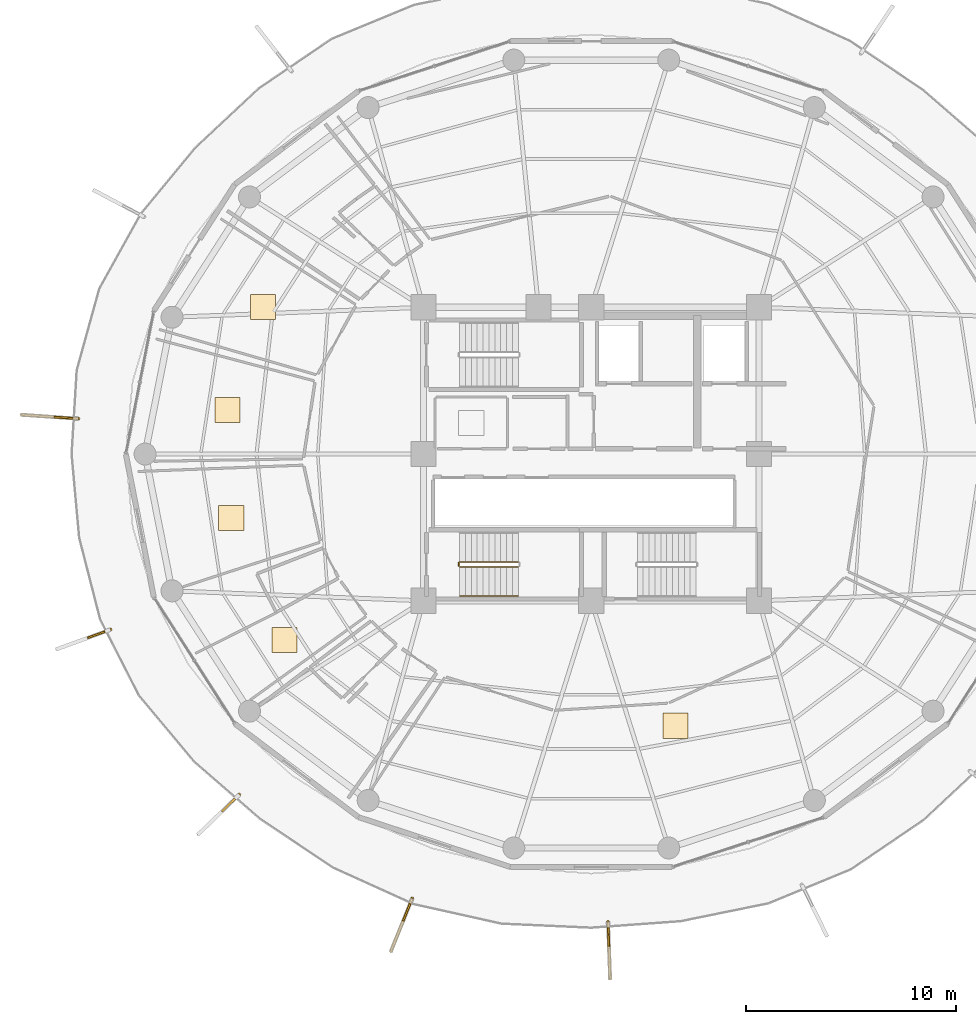
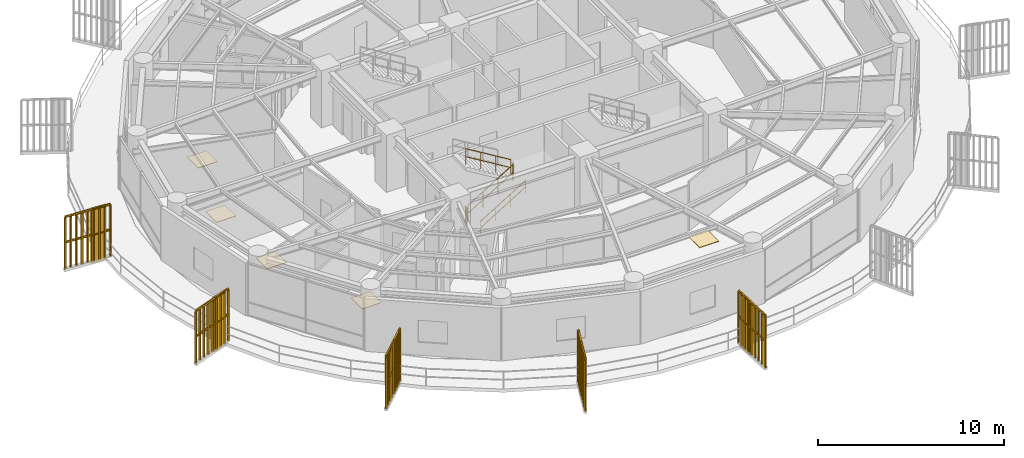
# One storey, part 27 of 30: 9 railings, 5 coverings, 5 shading devices.
"""IFC4 building model written with IfcOpenShell, lengths in metres."""

from ifc_helpers import new_model, si_unit, direction, frame, origin, origin_2d, place, context, subcontext, project, spatial, polyline, rectangle, outline, extrude, source, transform, mapped, material, layer, layer_set, type_object, element, save


model = new_model("IFC4")

# Units and contexts
model_context = context("Model", 3, precision=1e-05, world=origin(), true_north=direction((0.0, 1.0)))
body_context = subcontext(model_context, "Body", "Model", "MODEL_VIEW")
ifc_project = project(units=[si_unit("LENGTHUNIT", "METRE"), si_unit("AREAUNIT", "SQUARE_METRE"), si_unit("VOLUMEUNIT", "CUBIC_METRE"), si_unit("PLANEANGLEUNIT", "RADIAN"), si_unit("MASSUNIT", "GRAM", prefix="KILO")], contexts=[model_context])

# Site, building, storey
site_placement = place(None, origin())
site = spatial("IfcSite", under=ifc_project, at=site_placement, CompositionType="ELEMENT")
building_placement = place(site_placement, origin())
building = spatial("IfcBuilding", under=site, at=building_placement, Name="Kelanora Arch Commons", CompositionType="ELEMENT")
storey_placement = place(building_placement, frame((0.0, 0.0, 211.949951171875)))
storey = spatial("IfcBuildingStorey", under=building, at=storey_placement, Name="L54", CompositionType="ELEMENT", Elevation=211.949951171875)

# Railings
ifc_material_1 = material(Name="Anodised bronze vertical shading fin rib assembly")
railing_type_1 = type_object("IfcRailingType", Name="RAIL-FIN-BRZ", PredefinedType="BALUSTRADE", material=ifc_material_1)
railing_1_placement = place(storey_placement, frame((49.53662109375, 59.6865234375, -0.02001953125)))
element("IfcRailing", 1, at=railing_1_placement, inside=storey, type_object=railing_type_1, Name="Sweeping Bronze Vertical Fin Blade L54-09", PredefinedType="BALUSTRADE", context=body_context, shape_type="SweptSolid", body=[
    extrude(outline(polyline([(0.06982421875, 0.0), (0.034912109375, 0.060546875), (-0.034912109375, 0.060546875), (-0.06982421875, 0.0), (-0.034912109375, -0.060546875), (0.034912109375, -0.060546875), (0.06982421875, 0.0)])), frame((0.0, 0.0, 3.419921875), z_axis=(-0.997628195504, 0.068833011954, 0.0), x_axis=(-0.068833011954, -0.997628195504, 0.0)), (0.0, 0.0, 1.0), 2.709716796875),
    extrude(outline(polyline([(0.06982421875, 0.0), (0.034912109375, 0.060546875), (-0.034912109375, 0.060546875), (-0.06982421875, 0.0), (-0.034912109375, -0.060546875), (0.034912109375, -0.060546875), (0.06982421875, 0.0)])), frame((0.0, 0.0, 1.7451171875), z_axis=(-0.997628195504, 0.068833011954, 0.0), x_axis=(-0.068833011954, -0.997628195504, 0.0)), (0.0, 0.0, 1.0), 2.709716796875),
    extrude(outline(polyline([(0.080078125, 0.0), (0.0400390625, 0.0693359375), (-0.0400390625, 0.0693359375), (-0.080078125, 0.0), (-0.0400390625, -0.0693359375), (0.0400390625, -0.0693359375), (0.080078125, 0.0)])), origin(), (0.0, 0.0, 1.0), 3.35009765625),
    extrude(outline(polyline([(0.080078125, 0.0), (0.0400390625, 0.0693359375), (-0.0400390625, 0.0693359375), (-0.080078125, 0.0), (-0.0400390625, -0.0693359375), (0.0400390625, -0.0693359375), (0.080078125, 0.0)])), frame((-0.337890625, 0.0234375, 0.0)), (0.0, 0.0, 1.0), 3.35009765625),
    extrude(outline(polyline([(0.080078125, 0.0), (0.0400390625, 0.0693359375), (-0.0400390625, 0.0693359375), (-0.080078125, 0.0), (-0.0400390625, -0.0693359375), (0.0400390625, -0.0693359375), (0.080078125, 0.0)])), frame((-0.67578125, 0.046630859375, 0.0)), (0.0, 0.0, 1.0), 3.35009765625),
    extrude(outline(polyline([(0.080078125, 0.0), (0.0400390625, 0.0693359375), (-0.0400390625, 0.0693359375), (-0.080078125, 0.0), (-0.0400390625, -0.0693359375), (0.0400390625, -0.0693359375), (0.080078125, 0.0)])), frame((-1.013671875, 0.06982421875, 0.0)), (0.0, 0.0, 1.0), 3.35009765625),
    extrude(outline(polyline([(0.080078125, 0.0), (0.0400390625, 0.0693359375), (-0.0400390625, 0.0693359375), (-0.080078125, 0.0), (-0.0400390625, -0.0693359375), (0.0400390625, -0.0693359375), (0.080078125, 0.0)])), frame((-1.3515625, 0.09326171875, 0.0)), (0.0, 0.0, 1.0), 3.35009765625),
    extrude(outline(polyline([(0.080078125, 0.0), (0.0400390625, 0.0693359375), (-0.0400390625, 0.0693359375), (-0.080078125, 0.0), (-0.0400390625, -0.0693359375), (0.0400390625, -0.0693359375), (0.080078125, 0.0)])), frame((-1.689697265625, 0.11669921875, 0.0)), (0.0, 0.0, 1.0), 3.35009765625),
    extrude(outline(polyline([(0.080078125, 0.0), (0.0400390625, 0.0693359375), (-0.0400390625, 0.0693359375), (-0.080078125, 0.0), (-0.0400390625, -0.0693359375), (0.0400390625, -0.0693359375), (0.080078125, 0.0)])), frame((-2.027587890625, 0.139892578125, 0.0)), (0.0, 0.0, 1.0), 3.35009765625),
    extrude(outline(polyline([(0.080078125, 0.0), (0.0400390625, 0.0693359375), (-0.0400390625, 0.0693359375), (-0.080078125, 0.0), (-0.0400390625, -0.0693359375), (0.0400390625, -0.0693359375), (0.080078125, 0.0)])), frame((-2.365478515625, 0.1630859375, 0.0)), (0.0, 0.0, 1.0), 3.35009765625),
    extrude(outline(polyline([(0.080078125, 0.0), (0.0400390625, 0.0693359375), (-0.0400390625, 0.0693359375), (-0.080078125, 0.0), (-0.0400390625, -0.0693359375), (0.0400390625, -0.0693359375), (0.080078125, 0.0)])), frame((-2.703369140625, 0.1865234375, 0.0)), (0.0, 0.0, 1.0), 3.35009765625),
])
railing_2_placement = place(storey_placement, frame((51.0693359375, 49.62841796875, -0.02001953125)))
element("IfcRailing", 2, at=railing_2_placement, inside=storey, type_object=railing_type_1, Name="Sweeping Bronze Vertical Fin Blade L54-10", PredefinedType="BALUSTRADE", context=body_context, shape_type="SweptSolid", body=[
    extrude(outline(polyline([(0.06982421875, 0.0), (0.034912109375, 0.060546875), (-0.034912109375, 0.060546875), (-0.06982421875, 0.0), (-0.034912109375, -0.060546875), (0.034912109375, -0.060546875), (0.06982421875, 0.0)])), frame((0.0, 0.0, 3.419921875), z_axis=(-0.93937712702, -0.342885714533, 0.0), x_axis=(0.342885714533, -0.93937712702, 0.0)), (0.0, 0.0, 1.0), 2.7099609375),
    extrude(outline(polyline([(0.06982421875, 0.0), (0.034912109375, 0.060546875), (-0.034912109375, 0.060546875), (-0.06982421875, 0.0), (-0.034912109375, -0.060546875), (0.034912109375, -0.060546875), (0.06982421875, 0.0)])), frame((0.0, 0.0, 1.7451171875), z_axis=(-0.93937712702, -0.342885714533, 0.0), x_axis=(0.342885714533, -0.93937712702, 0.0)), (0.0, 0.0, 1.0), 2.7099609375),
    extrude(outline(polyline([(0.080078125, 0.0), (0.0400390625, 0.0693359375), (-0.0400390625, 0.0693359375), (-0.080078125, 0.0), (-0.0400390625, -0.0693359375), (0.0400390625, -0.0693359375), (0.080078125, 0.0)])), origin(), (0.0, 0.0, 1.0), 3.35009765625),
    extrude(outline(polyline([(0.080078125, 0.0), (0.0400390625, 0.0693359375), (-0.0400390625, 0.0693359375), (-0.080078125, 0.0), (-0.0400390625, -0.0693359375), (0.0400390625, -0.0693359375), (0.080078125, 0.0)])), frame((-0.318115234375, -0.1162109375, 0.0)), (0.0, 0.0, 1.0), 3.35009765625),
    extrude(outline(polyline([(0.080078125, 0.0), (0.0400390625, 0.0693359375), (-0.0400390625, 0.0693359375), (-0.080078125, 0.0), (-0.0400390625, -0.0693359375), (0.0400390625, -0.0693359375), (0.080078125, 0.0)])), frame((-0.636474609375, -0.232421875, 0.0)), (0.0, 0.0, 1.0), 3.35009765625),
    extrude(outline(polyline([(0.080078125, 0.0), (0.0400390625, 0.0693359375), (-0.0400390625, 0.0693359375), (-0.080078125, 0.0), (-0.0400390625, -0.0693359375), (0.0400390625, -0.0693359375), (0.080078125, 0.0)])), frame((-0.95458984375, -0.348388671875, 0.0)), (0.0, 0.0, 1.0), 3.35009765625),
    extrude(outline(polyline([(0.080078125, 0.0), (0.0400390625, 0.0693359375), (-0.0400390625, 0.0693359375), (-0.080078125, 0.0), (-0.0400390625, -0.0693359375), (0.0400390625, -0.0693359375), (0.080078125, 0.0)])), frame((-1.27294921875, -0.464599609375, 0.0)), (0.0, 0.0, 1.0), 3.35009765625),
    extrude(outline(polyline([(0.080078125, 0.0), (0.0400390625, 0.0693359375), (-0.0400390625, 0.0693359375), (-0.080078125, 0.0), (-0.0400390625, -0.0693359375), (0.0400390625, -0.0693359375), (0.080078125, 0.0)])), frame((-1.591064453125, -0.580810546875, 0.0)), (0.0, 0.0, 1.0), 3.35009765625),
    extrude(outline(polyline([(0.080078125, 0.0), (0.0400390625, 0.0693359375), (-0.0400390625, 0.0693359375), (-0.080078125, 0.0), (-0.0400390625, -0.0693359375), (0.0400390625, -0.0693359375), (0.080078125, 0.0)])), frame((-1.9091796875, -0.69677734375, 0.0)), (0.0, 0.0, 1.0), 3.35009765625),
    extrude(outline(polyline([(0.080078125, 0.0), (0.0400390625, 0.0693359375), (-0.0400390625, 0.0693359375), (-0.080078125, 0.0), (-0.0400390625, -0.0693359375), (0.0400390625, -0.0693359375), (0.080078125, 0.0)])), frame((-2.2275390625, -0.81298828125, 0.0)), (0.0, 0.0, 1.0), 3.35009765625),
    extrude(outline(polyline([(0.080078125, 0.0), (0.0400390625, 0.0693359375), (-0.0400390625, 0.0693359375), (-0.080078125, 0.0), (-0.0400390625, -0.0693359375), (0.0400390625, -0.0693359375), (0.080078125, 0.0)])), frame((-2.545654296875, -0.92919921875, 0.0)), (0.0, 0.0, 1.0), 3.35009765625),
])
railing_3_placement = place(storey_placement, frame((57.212158203125, 41.756591796875, -0.02001953125)))
element("IfcRailing", 3, at=railing_3_placement, inside=storey, type_object=railing_type_1, Name="Sweeping Bronze Vertical Fin Blade L54-11", PredefinedType="BALUSTRADE", context=body_context, shape_type="SweptSolid", body=[
    extrude(outline(polyline([(0.06982421875, 0.0), (0.034912109375, 0.060546875), (-0.034912109375, 0.060546875), (-0.06982421875, 0.0), (-0.034912109375, -0.060546875), (0.034912109375, -0.060546875), (0.06982421875, 0.0)])), frame((0.0, 0.0, 3.419921875), z_axis=(-0.718632638385, -0.695389912961, 0.0), x_axis=(0.695389912961, -0.718632638385, 0.0)), (0.0, 0.0, 1.0), 2.7099609375),
    extrude(outline(polyline([(0.06982421875, 0.0), (0.034912109375, 0.060546875), (-0.034912109375, 0.060546875), (-0.06982421875, 0.0), (-0.034912109375, -0.060546875), (0.034912109375, -0.060546875), (0.06982421875, 0.0)])), frame((0.0, 0.0, 1.7451171875), z_axis=(-0.718632638385, -0.695389912961, 0.0), x_axis=(0.695389912961, -0.718632638385, 0.0)), (0.0, 0.0, 1.0), 2.7099609375),
    extrude(outline(polyline([(0.080078125, 0.0), (0.0400390625, 0.0693359375), (-0.0400390625, 0.0693359375), (-0.080078125, 0.0), (-0.0400390625, -0.0693359375), (0.0400390625, -0.0693359375), (0.080078125, 0.0)])), origin(), (0.0, 0.0, 1.0), 3.35009765625),
    extrude(outline(polyline([(0.080078125, 0.0), (0.0400390625, 0.0693359375), (-0.0400390625, 0.0693359375), (-0.080078125, 0.0), (-0.0400390625, -0.0693359375), (0.0400390625, -0.0693359375), (0.080078125, 0.0)])), frame((-0.243408203125, -0.235595703125, 0.0)), (0.0, 0.0, 1.0), 3.35009765625),
    extrude(outline(polyline([(0.080078125, 0.0), (0.0400390625, 0.0693359375), (-0.0400390625, 0.0693359375), (-0.080078125, 0.0), (-0.0400390625, -0.0693359375), (0.0400390625, -0.0693359375), (0.080078125, 0.0)])), frame((-0.48681640625, -0.47119140625, 0.0)), (0.0, 0.0, 1.0), 3.35009765625),
    extrude(outline(polyline([(0.080078125, 0.0), (0.0400390625, 0.0693359375), (-0.0400390625, 0.0693359375), (-0.080078125, 0.0), (-0.0400390625, -0.0693359375), (0.0400390625, -0.0693359375), (0.080078125, 0.0)])), frame((-0.730224609375, -0.706787109375, 0.0)), (0.0, 0.0, 1.0), 3.35009765625),
    extrude(outline(polyline([(0.080078125, 0.0), (0.0400390625, 0.0693359375), (-0.0400390625, 0.0693359375), (-0.080078125, 0.0), (-0.0400390625, -0.0693359375), (0.0400390625, -0.0693359375), (0.080078125, 0.0)])), frame((-0.9736328125, -0.9423828125, 0.0)), (0.0, 0.0, 1.0), 3.35009765625),
    extrude(outline(polyline([(0.080078125, 0.0), (0.0400390625, 0.0693359375), (-0.0400390625, 0.0693359375), (-0.080078125, 0.0), (-0.0400390625, -0.0693359375), (0.0400390625, -0.0693359375), (0.080078125, 0.0)])), frame((-1.21728515625, -1.177734375, 0.0)), (0.0, 0.0, 1.0), 3.35009765625),
    extrude(outline(polyline([(0.080078125, 0.0), (0.0400390625, 0.0693359375), (-0.0400390625, 0.0693359375), (-0.080078125, 0.0), (-0.0400390625, -0.0693359375), (0.0400390625, -0.0693359375), (0.080078125, 0.0)])), frame((-1.460693359375, -1.413330078125, 0.0)), (0.0, 0.0, 1.0), 3.35009765625),
    extrude(outline(polyline([(0.080078125, 0.0), (0.0400390625, 0.0693359375), (-0.0400390625, 0.0693359375), (-0.080078125, 0.0), (-0.0400390625, -0.0693359375), (0.0400390625, -0.0693359375), (0.080078125, 0.0)])), frame((-1.7041015625, -1.64892578125, 0.0)), (0.0, 0.0, 1.0), 3.35009765625),
    extrude(outline(polyline([(0.080078125, 0.0), (0.0400390625, 0.0693359375), (-0.0400390625, 0.0693359375), (-0.080078125, 0.0), (-0.0400390625, -0.0693359375), (0.0400390625, -0.0693359375), (0.080078125, 0.0)])), frame((-1.947509765625, -1.884521484375, 0.0)), (0.0, 0.0, 1.0), 3.35009765625),
])
railing_4_placement = place(storey_placement, frame((65.462890625, 36.810302734375, -0.02001953125)))
element("IfcRailing", 4, at=railing_4_placement, inside=storey, type_object=railing_type_1, Name="Sweeping Bronze Vertical Fin Blade L54-12", PredefinedType="BALUSTRADE", context=body_context, shape_type="SweptSolid", body=[
    extrude(outline(polyline([(0.06982421875, 0.0), (0.034912109375, 0.060546875), (-0.034912109375, 0.060546875), (-0.06982421875, 0.0), (-0.034912109375, -0.060546875), (0.034912109375, -0.060546875), (0.06982421875, 0.0)])), frame((0.0, 0.0, 3.419921875), z_axis=(-0.37368835576, -0.927554317962, 0.0), x_axis=(0.927554317962, -0.37368835576, 0.0)), (0.0, 0.0, 1.0), 2.7099609375),
    extrude(outline(polyline([(0.06982421875, 0.0), (0.034912109375, 0.060546875), (-0.034912109375, 0.060546875), (-0.06982421875, 0.0), (-0.034912109375, -0.060546875), (0.034912109375, -0.060546875), (0.06982421875, 0.0)])), frame((0.0, 0.0, 1.7451171875), z_axis=(-0.37368835576, -0.927554317962, 0.0), x_axis=(0.927554317962, -0.37368835576, 0.0)), (0.0, 0.0, 1.0), 2.7099609375),
    extrude(outline(polyline([(0.080078125, 0.0), (0.0400390625, 0.0693359375), (-0.0400390625, 0.0693359375), (-0.080078125, 0.0), (-0.0400390625, -0.0693359375), (0.0400390625, -0.0693359375), (0.080078125, 0.0)])), origin(), (0.0, 0.0, 1.0), 3.35009765625),
    extrude(outline(polyline([(0.080078125, 0.0), (0.0400390625, 0.0693359375), (-0.0400390625, 0.0693359375), (-0.080078125, 0.0), (-0.0400390625, -0.0693359375), (0.0400390625, -0.0693359375), (0.080078125, 0.0)])), frame((-0.12646484375, -0.314208984375, 0.0)), (0.0, 0.0, 1.0), 3.35009765625),
    extrude(outline(polyline([(0.080078125, 0.0), (0.0400390625, 0.0693359375), (-0.0400390625, 0.0693359375), (-0.080078125, 0.0), (-0.0400390625, -0.0693359375), (0.0400390625, -0.0693359375), (0.080078125, 0.0)])), frame((-0.253173828125, -0.62841796875, 0.0)), (0.0, 0.0, 1.0), 3.35009765625),
    extrude(outline(polyline([(0.080078125, 0.0), (0.0400390625, 0.0693359375), (-0.0400390625, 0.0693359375), (-0.080078125, 0.0), (-0.0400390625, -0.0693359375), (0.0400390625, -0.0693359375), (0.080078125, 0.0)])), frame((-0.3798828125, -0.942626953125, 0.0)), (0.0, 0.0, 1.0), 3.35009765625),
    extrude(outline(polyline([(0.080078125, 0.0), (0.0400390625, 0.0693359375), (-0.0400390625, 0.0693359375), (-0.080078125, 0.0), (-0.0400390625, -0.0693359375), (0.0400390625, -0.0693359375), (0.080078125, 0.0)])), frame((-0.50634765625, -1.2568359375, 0.0)), (0.0, 0.0, 1.0), 3.35009765625),
    extrude(outline(polyline([(0.080078125, 0.0), (0.0400390625, 0.0693359375), (-0.0400390625, 0.0693359375), (-0.080078125, 0.0), (-0.0400390625, -0.0693359375), (0.0400390625, -0.0693359375), (0.080078125, 0.0)])), frame((-0.6328125, -1.571044921875, 0.0)), (0.0, 0.0, 1.0), 3.35009765625),
    extrude(outline(polyline([(0.080078125, 0.0), (0.0400390625, 0.0693359375), (-0.0400390625, 0.0693359375), (-0.080078125, 0.0), (-0.0400390625, -0.0693359375), (0.0400390625, -0.0693359375), (0.080078125, 0.0)])), frame((-0.759521484375, -1.88525390625, 0.0)), (0.0, 0.0, 1.0), 3.35009765625),
    extrude(outline(polyline([(0.080078125, 0.0), (0.0400390625, 0.0693359375), (-0.0400390625, 0.0693359375), (-0.080078125, 0.0), (-0.0400390625, -0.0693359375), (0.0400390625, -0.0693359375), (0.080078125, 0.0)])), frame((-0.88623046875, -2.199462890625, 0.0)), (0.0, 0.0, 1.0), 3.35009765625),
    extrude(outline(polyline([(0.080078125, 0.0), (0.0400390625, 0.0693359375), (-0.0400390625, 0.0693359375), (-0.080078125, 0.0), (-0.0400390625, -0.0693359375), (0.0400390625, -0.0693359375), (0.080078125, 0.0)])), frame((-1.0126953125, -2.513671875, 0.0)), (0.0, 0.0, 1.0), 3.35009765625),
])
railing_5_placement = place(storey_placement, frame((74.80078125, 35.692138671875, -0.02001953125)))
element("IfcRailing", 5, at=railing_5_placement, inside=storey, type_object=railing_type_1, Name="Sweeping Bronze Vertical Fin Blade L54-13", PredefinedType="BALUSTRADE", context=body_context, shape_type="SweptSolid", body=[
    extrude(outline(polyline([(0.06982421875, 0.0), (0.034912109375, 0.060546875), (-0.034912109375, 0.060546875), (-0.06982421875, 0.0), (-0.034912109375, -0.060546875), (0.034912109375, -0.060546875), (0.06982421875, 0.0)])), frame((0.0, 0.0, 3.419921875), z_axis=(0.035945384349, -0.999353755856, 0.0), x_axis=(0.999353755856, 0.035945384349, 0.0)), (0.0, 0.0, 1.0), 2.7099609375),
    extrude(outline(polyline([(0.06982421875, 0.0), (0.034912109375, 0.060546875), (-0.034912109375, 0.060546875), (-0.06982421875, 0.0), (-0.034912109375, -0.060546875), (0.034912109375, -0.060546875), (0.06982421875, 0.0)])), frame((0.0, 0.0, 1.7451171875), z_axis=(0.035945384349, -0.999353755856, 0.0), x_axis=(0.999353755856, 0.035945384349, 0.0)), (0.0, 0.0, 1.0), 2.7099609375),
    extrude(outline(polyline([(0.080078125, 0.0), (0.0400390625, 0.0693359375), (-0.0400390625, 0.0693359375), (-0.080078125, 0.0), (-0.0400390625, -0.0693359375), (0.0400390625, -0.0693359375), (0.080078125, 0.0)])), origin(), (0.0, 0.0, 1.0), 3.35009765625),
    extrude(outline(polyline([(0.080078125, 0.0), (0.0400390625, 0.0693359375), (-0.0400390625, 0.0693359375), (-0.080078125, 0.0), (-0.0400390625, -0.0693359375), (0.0400390625, -0.0693359375), (0.080078125, 0.0)])), frame((0.01220703125, -0.338623046875, 0.0)), (0.0, 0.0, 1.0), 3.35009765625),
    extrude(outline(polyline([(0.080078125, 0.0), (0.0400390625, 0.0693359375), (-0.0400390625, 0.0693359375), (-0.080078125, 0.0), (-0.0400390625, -0.0693359375), (0.0400390625, -0.0693359375), (0.080078125, 0.0)])), frame((0.0244140625, -0.677001953125, 0.0)), (0.0, 0.0, 1.0), 3.35009765625),
    extrude(outline(polyline([(0.080078125, 0.0), (0.0400390625, 0.0693359375), (-0.0400390625, 0.0693359375), (-0.080078125, 0.0), (-0.0400390625, -0.0693359375), (0.0400390625, -0.0693359375), (0.080078125, 0.0)])), frame((0.03662109375, -1.015625, 0.0)), (0.0, 0.0, 1.0), 3.35009765625),
    extrude(outline(polyline([(0.080078125, 0.0), (0.0400390625, 0.0693359375), (-0.0400390625, 0.0693359375), (-0.080078125, 0.0), (-0.0400390625, -0.0693359375), (0.0400390625, -0.0693359375), (0.080078125, 0.0)])), frame((0.048828125, -1.35400390625, 0.0)), (0.0, 0.0, 1.0), 3.35009765625),
    extrude(outline(polyline([(0.080078125, 0.0), (0.0400390625, 0.0693359375), (-0.0400390625, 0.0693359375), (-0.080078125, 0.0), (-0.0400390625, -0.0693359375), (0.0400390625, -0.0693359375), (0.080078125, 0.0)])), frame((0.060791015625, -1.692626953125, 0.0)), (0.0, 0.0, 1.0), 3.35009765625),
    extrude(outline(polyline([(0.080078125, 0.0), (0.0400390625, 0.0693359375), (-0.0400390625, 0.0693359375), (-0.080078125, 0.0), (-0.0400390625, -0.0693359375), (0.0400390625, -0.0693359375), (0.080078125, 0.0)])), frame((0.072998046875, -2.03125, 0.0)), (0.0, 0.0, 1.0), 3.35009765625),
    extrude(outline(polyline([(0.080078125, 0.0), (0.0400390625, 0.0693359375), (-0.0400390625, 0.0693359375), (-0.080078125, 0.0), (-0.0400390625, -0.0693359375), (0.0400390625, -0.0693359375), (0.080078125, 0.0)])), frame((0.085205078125, -2.36962890625, 0.0)), (0.0, 0.0, 1.0), 3.35009765625),
    extrude(outline(polyline([(0.080078125, 0.0), (0.0400390625, 0.0693359375), (-0.0400390625, 0.0693359375), (-0.080078125, 0.0), (-0.0400390625, -0.0693359375), (0.0400390625, -0.0693359375), (0.080078125, 0.0)])), frame((0.097412109375, -2.708251953125, 0.0)), (0.0, 0.0, 1.0), 3.35009765625),
])
ifc_material_2 = material(Name="Painted steel stair well guard", Category="steel")
railing_type_2 = type_object("IfcRailingType", Name="RAIL-STAIR-GRD", PredefinedType="GUARDRAIL", material=ifc_material_2)
railing_6_placement = place(storey_placement, frame((67.719970703125, 52.610107421875, 0.17041015625)))
element("IfcRailing", 6, at=railing_6_placement, inside=storey, type_object=railing_type_2, Name="L54 ST-T3 stair guard 1", PredefinedType="GUARDRAIL", context=body_context, shape_type="SweptSolid", body=[
    extrude(outline(polyline([(0.02392578125, 0.0), (0.011962890625, 0.020751953125), (-0.011962890625, 0.020751953125), (-0.02392578125, 0.0), (-0.011962890625, -0.020751953125), (0.011962890625, -0.020751953125), (0.02392578125, 0.0)])), frame((0.0, 0.0, 1.076171875), z_axis=(0.854169791009, 0.0, 0.51999420009), x_axis=(0.0, 1.0, 0.0)), (0.0, 0.0, 1.0), 3.278076171875),
    extrude(outline(polyline([(0.02392578125, 0.0), (0.011962890625, 0.020751953125), (-0.011962890625, 0.020751953125), (-0.02392578125, 0.0), (-0.011962890625, -0.020751953125), (0.011962890625, -0.020751953125), (0.02392578125, 0.0)])), frame((0.0, 0.0, 0.550048828125), z_axis=(0.854169791009, 0.0, 0.51999420009), x_axis=(0.0, 1.0, 0.0)), (0.0, 0.0, 1.0), 3.278076171875),
    extrude(outline(polyline([(0.02099609375, 0.0), (0.010498046875, 0.01806640625), (-0.010498046875, 0.01806640625), (-0.02099609375, 0.0), (-0.010498046875, -0.01806640625), (0.010498046875, -0.01806640625), (0.02099609375, 0.0)])), origin(), (0.0, 0.0, 1.0), 1.052001953125),
    extrude(outline(polyline([(0.02099609375, 0.0), (0.010498046875, 0.01806640625), (-0.010498046875, 0.01806640625), (-0.02099609375, 0.0), (-0.010498046875, -0.01806640625), (0.010498046875, -0.01806640625), (0.02099609375, 0.0)])), frame((0.933349609375, 0.0, 0.568115234375)), (0.0, 0.0, 1.0), 1.052001953125),
    extrude(outline(polyline([(0.02099609375, 0.0), (0.010498046875, 0.01806640625), (-0.010498046875, 0.01806640625), (-0.02099609375, 0.0), (-0.010498046875, -0.01806640625), (0.010498046875, -0.01806640625), (0.02099609375, 0.0)])), frame((1.86669921875, 0.0, 1.136474609375)), (0.0, 0.0, 1.0), 1.052001953125),
    extrude(outline(polyline([(0.02099609375, 0.0), (0.010498046875, 0.01806640625), (-0.010498046875, 0.01806640625), (-0.02099609375, 0.0), (-0.010498046875, -0.01806640625), (0.010498046875, -0.01806640625), (0.02099609375, 0.0)])), frame((2.800048828125, 0.0, 1.70458984375)), (0.0, 0.0, 1.0), 1.052001953125),
])
railing_7_placement = place(storey_placement, frame((70.52001953125, 52.860107421875, 2.04541015625)))
element("IfcRailing", 7, at=railing_7_placement, inside=storey, type_object=railing_type_2, Name="L54 ST-T3 stair guard 3", PredefinedType="GUARDRAIL", context=body_context, shape_type="SweptSolid", body=[
    extrude(outline(polyline([(0.02392578125, 0.0), (0.011962890625, 0.020751953125), (-0.011962890625, 0.020751953125), (-0.02392578125, 0.0), (-0.011962890625, -0.020751953125), (0.011962890625, -0.020751953125), (0.02392578125, 0.0)])), frame((0.0, 0.0, 1.076171875), z_axis=(-0.854169791009, 0.0, 0.51999420009), x_axis=(0.0, -1.0, 0.0)), (0.0, 0.0, 1.0), 3.278076171875),
    extrude(outline(polyline([(0.02392578125, 0.0), (0.011962890625, 0.020751953125), (-0.011962890625, 0.020751953125), (-0.02392578125, 0.0), (-0.011962890625, -0.020751953125), (0.011962890625, -0.020751953125), (0.02392578125, 0.0)])), frame((0.0, 0.0, 0.550048828125), z_axis=(-0.854169791009, 0.0, 0.51999420009), x_axis=(0.0, -1.0, 0.0)), (0.0, 0.0, 1.0), 3.278076171875),
    extrude(outline(polyline([(0.02099609375, 0.0), (0.010498046875, 0.01806640625), (-0.010498046875, 0.01806640625), (-0.02099609375, 0.0), (-0.010498046875, -0.01806640625), (0.010498046875, -0.01806640625), (0.02099609375, 0.0)])), origin(), (0.0, 0.0, 1.0), 1.052001953125),
    extrude(outline(polyline([(0.02099609375, 0.0), (0.010498046875, 0.01806640625), (-0.010498046875, 0.01806640625), (-0.02099609375, 0.0), (-0.010498046875, -0.01806640625), (0.010498046875, -0.01806640625), (0.02099609375, 0.0)])), frame((-0.933349609375, 0.0, 0.568115234375)), (0.0, 0.0, 1.0), 1.052001953125),
    extrude(outline(polyline([(0.02099609375, 0.0), (0.010498046875, 0.01806640625), (-0.010498046875, 0.01806640625), (-0.02099609375, 0.0), (-0.010498046875, -0.01806640625), (0.010498046875, -0.01806640625), (0.02099609375, 0.0)])), frame((-1.86669921875, 0.0, 1.136474609375)), (0.0, 0.0, 1.0), 1.052001953125),
    extrude(outline(polyline([(0.02099609375, 0.0), (0.010498046875, 0.01806640625), (-0.010498046875, 0.01806640625), (-0.02099609375, 0.0), (-0.010498046875, -0.01806640625), (0.010498046875, -0.01806640625), (0.02099609375, 0.0)])), frame((-2.800048828125, 0.0, 1.70458984375)), (0.0, 0.0, 1.0), 1.052001953125),
])
railing_8_placement = place(storey_placement, frame((67.669921875, 52.659912109375, 0.0)))
element("IfcRailing", 8, at=railing_8_placement, inside=storey, type_object=railing_type_2, Name="L54 ST-T3 stair guard 4", PredefinedType="GUARDRAIL", context=body_context, shape_type="SweptSolid", body=[
    extrude(outline(polyline([(0.02392578125, 0.0), (0.011962890625, 0.020751953125), (-0.011962890625, 0.020751953125), (-0.02392578125, 0.0), (-0.011962890625, -0.020751953125), (0.011962890625, -0.020751953125), (0.02392578125, 0.0)])), frame((0.0, 0.0, 1.076171875), z_axis=(0.0, 1.0, 0.0), x_axis=(-1.0, 0.0, 0.0)), (0.0, 0.0, 1.0), 0.150146484375),
    extrude(outline(polyline([(0.02392578125, 0.0), (0.011962890625, 0.020751953125), (-0.011962890625, 0.020751953125), (-0.02392578125, 0.0), (-0.011962890625, -0.020751953125), (0.011962890625, -0.020751953125), (0.02392578125, 0.0)])), frame((0.0, 0.0, 0.550048828125), z_axis=(0.0, 1.0, 0.0), x_axis=(-1.0, 0.0, 0.0)), (0.0, 0.0, 1.0), 0.150146484375),
    extrude(outline(polyline([(0.02099609375, 0.0), (0.010498046875, 0.01806640625), (-0.010498046875, 0.01806640625), (-0.02099609375, 0.0), (-0.010498046875, -0.01806640625), (0.010498046875, -0.01806640625), (0.02099609375, 0.0)])), origin(), (0.0, 0.0, 1.0), 1.052001953125),
    extrude(outline(polyline([(0.02099609375, 0.0), (0.010498046875, 0.01806640625), (-0.010498046875, 0.01806640625), (-0.02099609375, 0.0), (-0.010498046875, -0.01806640625), (0.010498046875, -0.01806640625), (0.02099609375, 0.0)])), frame((0.0, 0.150146484375, 0.0)), (0.0, 0.0, 1.0), 1.052001953125),
])
ifc_material_3 = material(Name="Brushed stainless steel stair handrail", Category="steel")
railing_type_3 = type_object("IfcRailingType", Name="RAIL-STAIR-HND", PredefinedType="HANDRAIL", material=ifc_material_3)
railing_9_placement = place(storey_placement, frame((67.719970703125, 51.22998046875, 0.17041015625)))
element("IfcRailing", 9, at=railing_9_placement, inside=storey, type_object=railing_type_3, Name="L54 ST-T3 stair handrail 1", PredefinedType="HANDRAIL", context=body_context, shape_type="SweptSolid", body=[
    extrude(outline(polyline([(0.02392578125, 0.0), (0.011962890625, 0.020751953125), (-0.011962890625, 0.020751953125), (-0.02392578125, 0.0), (-0.011962890625, -0.020751953125), (0.011962890625, -0.020751953125), (0.02392578125, 0.0)])), frame((0.0, 0.0, 0.8759765625), z_axis=(0.854169791009, 0.0, 0.51999420009), x_axis=(0.0, 1.0, 0.0)), (0.0, 0.0, 1.0), 3.278076171875),
    extrude(outline(polyline([(0.02392578125, 0.0), (0.011962890625, 0.020751953125), (-0.011962890625, 0.020751953125), (-0.02392578125, 0.0), (-0.011962890625, -0.020751953125), (0.011962890625, -0.020751953125), (0.02392578125, 0.0)])), frame((0.0, 0.0, 0.449951171875), z_axis=(0.854169791009, 0.0, 0.51999420009), x_axis=(0.0, 1.0, 0.0)), (0.0, 0.0, 1.0), 3.278076171875),
    extrude(outline(polyline([(0.02099609375, 0.0), (0.010498046875, 0.01806640625), (-0.010498046875, 0.01806640625), (-0.02099609375, 0.0), (-0.010498046875, -0.01806640625), (0.010498046875, -0.01806640625), (0.02099609375, 0.0)])), origin(), (0.0, 0.0, 1.0), 0.851806640625),
    extrude(outline(polyline([(0.02099609375, 0.0), (0.010498046875, 0.01806640625), (-0.010498046875, 0.01806640625), (-0.02099609375, 0.0), (-0.010498046875, -0.01806640625), (0.010498046875, -0.01806640625), (0.02099609375, 0.0)])), frame((0.933349609375, 0.0, 0.568115234375)), (0.0, 0.0, 1.0), 0.851806640625),
    extrude(outline(polyline([(0.02099609375, 0.0), (0.010498046875, 0.01806640625), (-0.010498046875, 0.01806640625), (-0.02099609375, 0.0), (-0.010498046875, -0.01806640625), (0.010498046875, -0.01806640625), (0.02099609375, 0.0)])), frame((1.86669921875, 0.0, 1.136474609375)), (0.0, 0.0, 1.0), 0.851806640625),
    extrude(outline(polyline([(0.02099609375, 0.0), (0.010498046875, 0.01806640625), (-0.010498046875, 0.01806640625), (-0.02099609375, 0.0), (-0.010498046875, -0.01806640625), (0.010498046875, -0.01806640625), (0.02099609375, 0.0)])), frame((2.800048828125, 0.0, 1.70458984375)), (0.0, 0.0, 1.0), 0.851806640625),
])

# Shading devices
ifc_material_4 = material(Name="Terracotta ceramic-clad extruded aluminium fin", Category="masonry")
shading_device_type = type_object("IfcShadingDeviceType", Name="SHD-FIN-FLARE", PredefinedType="USERDEFINED", material=ifc_material_4)
shared_shape_1 = source(origin(), body_context, "Body", "SweptSolid", [
    extrude(rectangle(XDim=0.8798828125, YDim=0.090087890625, at=origin_2d()), origin(), (0.0, 0.0, 1.0), 3.610107421875),
])
for number, where, z_axis, x_axis, name in (
    (10, (48.818359375, 59.736083984375, -0.14013671875), (0.0, 0.0, 1.0), (-0.997636552079, 0.068711789056, 0.0), "Sweeping Terracotta Fin L54-09"),
    (11, (50.39306640625, 49.381591796875, -0.14013671875), (0.0, 0.0, 1.0), (-0.939333942951, -0.343003999424, 0.0), "Sweeping Terracotta Fin L54-10"),
    (12, (56.69482421875, 41.255859375, -0.14013671875), (0.0, 0.0, 1.0), (-0.718611961505, -0.69541128031, 0.0), "Sweeping Terracotta Fin L54-11"),
    (13, (65.19384765625, 36.142333984375, -0.14013671875), (0.0, 0.0, 1.0), (-0.37363544353, -0.927575633217, 0.0), "Sweeping Terracotta Fin L54-12"),
    (14, (74.82666015625, 34.97265625, -0.14013671875), (0.0, 0.0, 1.0), (0.035946037002, -0.999353732381, 0.0), "Sweeping Terracotta Fin L54-13"),
):
    element("IfcShadingDevice", number, at=place(storey_placement, frame(where, z_axis=z_axis, x_axis=x_axis)), inside=storey, type_object=shading_device_type, Name=name, ObjectType="FIN", PredefinedType="USERDEFINED", context=body_context, shape_type="MappedRepresentation", body=[
        mapped(shared_shape_1, transform((0.0, 0.0, 0.0), scale=1.0)),
    ])

# Coverings
ifc_material_5 = material(Name="Polished local granite terrazzo flooring", Category="masonry")
ifc_layer = layer(ifc_material_5, 0.030029296875)
ifc_layer_set = layer_set([ifc_layer], Name="Polished local granite terrazzo flooring")
covering_type = type_object("IfcCoveringType", Name="COV-FLR-TER", PredefinedType="FLOORING", material=ifc_layer_set)
shared_shape_2 = source(origin(), body_context, "Body", "SweptSolid", [
    extrude(rectangle(XDim=1.199951171875, YDim=1.199951171875, at=origin_2d()), origin(), (0.0, 0.0, 1.0), 0.030029296875),
])
for number, where, z_axis, x_axis, name in (
    (15, (78.014404296875, 45.040771484375, 0.0), (0.0, 0.0, 1.0), (1.0, 0.0, 0.0), "South-East Shared Study Commons L54 Terrazzo Finish"),
    (16, (58.342041015625, 65.020751953125, 0.0), (0.0, 0.0, 1.0), (1.0, 0.0, 0.0), "Shared Cluster Kitchen L54-02 Terrazzo Finish"),
    (17, (56.65673828125, 60.099609375, 0.0), (0.0, 0.0, 1.0), (1.0, 0.0, 0.0), "Quiet Seminar Study Room L54-03 Terrazzo Finish"),
    (18, (56.83203125, 54.952880859375, 0.0), (0.0, 0.0, 1.0), (1.0, 0.0, 0.0), "Social Sky Lounge L54-04 Terrazzo Finish"),
    (19, (59.374267578125, 49.133056640625, 0.0), (0.0, 0.0, 1.0), (1.0, 0.0, 0.0), "Tutorial Study Alcove L54-05 Terrazzo Finish"),
):
    element("IfcCovering", number, at=place(storey_placement, frame(where, z_axis=z_axis, x_axis=x_axis)), inside=storey, type_object=covering_type, Name=name, PredefinedType="FLOORING", context=body_context, shape_type="MappedRepresentation", body=[
        mapped(shared_shape_2, transform((0.0, 0.0, 0.0), scale=1.0)),
    ])

save(model, "model.ifc")
